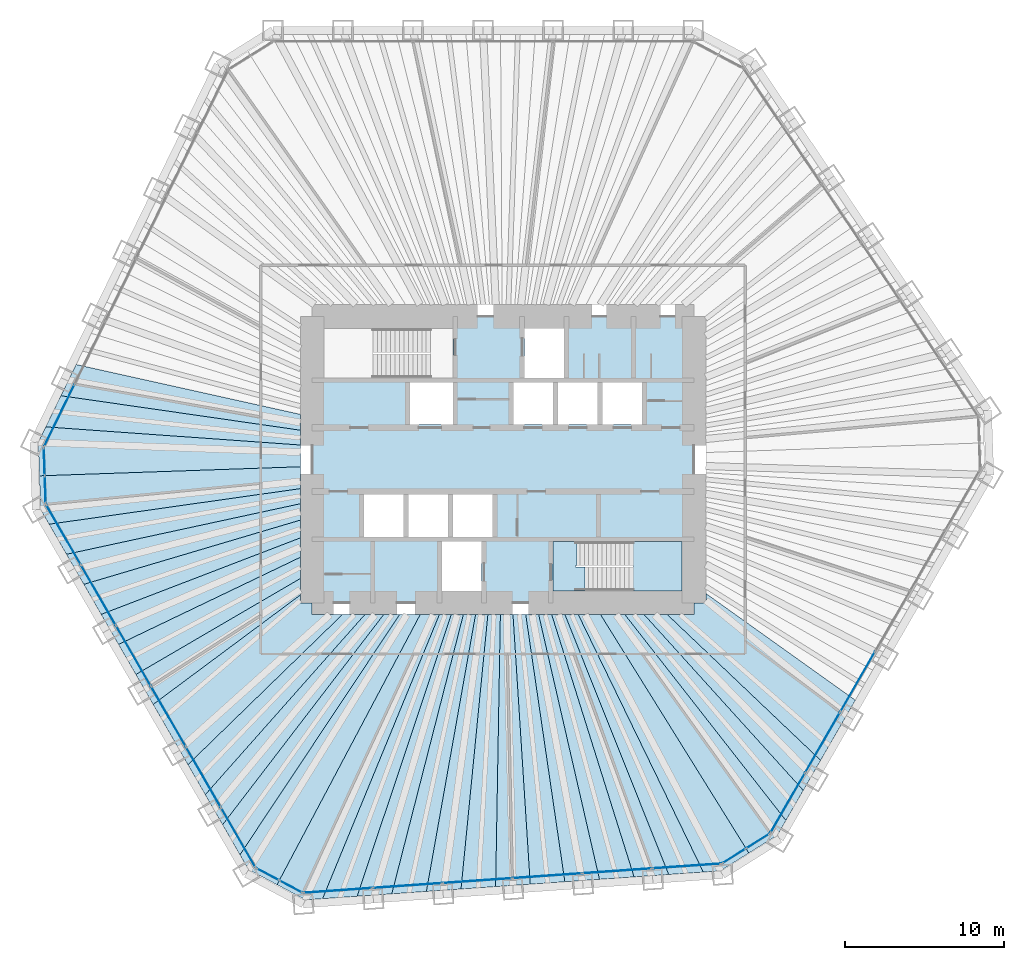
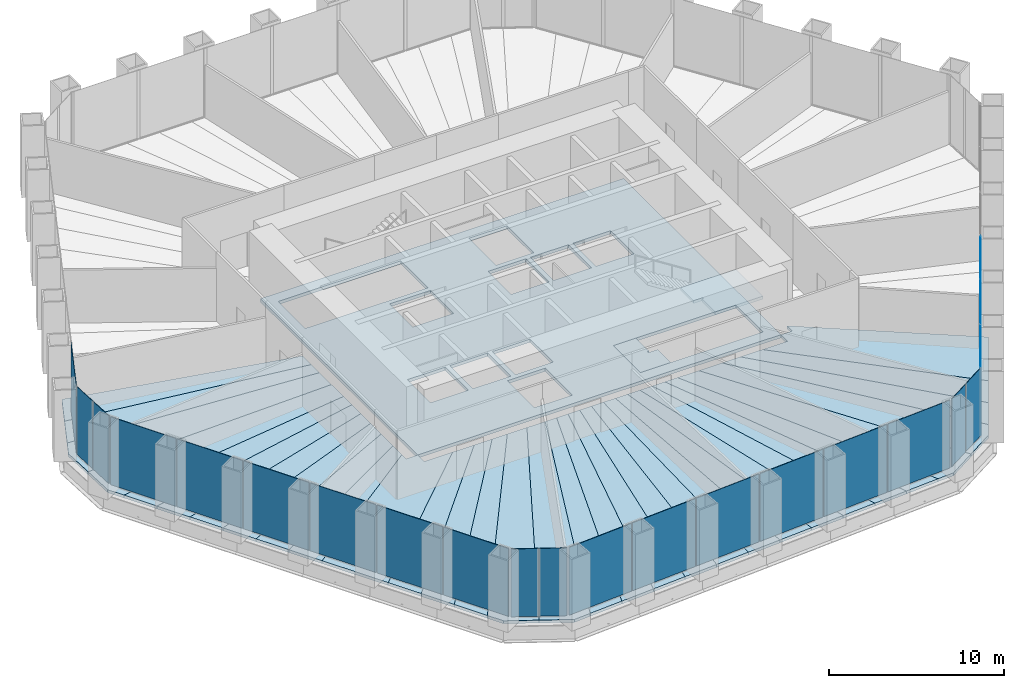
# One storey, part 8 of 13: 35 slabs, 22 plates, 8 elements without a shape of their own.
"""IFC4 building model written with IfcOpenShell, lengths in metres."""

import ifcopenshell
import ifcopenshell.guid

model = None  # the IFC model being written
_history = None  # IfcOwnerHistory: only IFC2X3 demands one
_inside = {}  # id of a spatial element -> (the spatial element, [elements in it])
_under = {}  # id of a project, library or spatial element -> (it, [spatial elements below it])
_declared = {}  # id of a project -> (the project, [libraries it declares])
_typed = {}  # id of a type object -> (the type object, [elements of that type])
_made_of = {}  # id of a material, layer set ... -> (it, [elements and type objects made of it])


def new_model(schema):
    """Start an empty IFC model of exactly this schema.

    Asked for "IFC4X3", IfcOpenShell would pick the latest addendum, in which some entities
    have other attributes; the version numbers below select the first issue.
    IFC2X3 requires an IfcOwnerHistory on every rooted entity: one is made here for all.
    """
    global model, _history
    if schema == "IFC4X3":
        model = ifcopenshell.file(schema_version=(4, 3, 0, 0))
    else:
        model = ifcopenshell.file(schema=schema)
    _inside.clear()
    _under.clear()
    _declared.clear()
    _typed.clear()
    _made_of.clear()
    _history = None
    if model.schema == "IFC2X3":
        org = make("IfcOrganization", Name="unknown")
        user = make(
            "IfcPersonAndOrganization",
            ThePerson=make("IfcPerson", FamilyName="unknown"),
            TheOrganization=org,
        )
        app = make(
            "IfcApplication",
            ApplicationDeveloper=org,
            Version="unknown",
            ApplicationFullName="unknown",
            ApplicationIdentifier="unknown",
        )
        _history = make(
            "IfcOwnerHistory",
            OwningUser=user,
            OwningApplication=app,
            ChangeAction="ADDED",
            CreationDate=0,
        )
    return model


def make(cls, **values):
    """One entity of the class cls with the attributes given. An attribute that is None is left unset."""
    return model.create_entity(
        cls, **{name: value for name, value in values.items() if value is not None}
    )


def rooted(cls, **values):
    """An entity with a GlobalId (a new one), such as an element, a storey or a relation."""
    return make(cls, GlobalId=ifcopenshell.guid.new(), OwnerHistory=_history, **values)


def si_unit(unit_type, name, prefix=None):
    """IfcSIUnit, for example si_unit("LENGTHUNIT", "METRE", prefix="MILLI")."""
    return make("IfcSIUnit", UnitType=unit_type, Prefix=prefix, Name=name)


def assignment(units):
    """IfcUnitAssignment: the units of a project."""
    return None if units is None else make("IfcUnitAssignment", Units=units)


def point(xyz):
    """IfcCartesianPoint."""
    return None if xyz is None else make("IfcCartesianPoint", Coordinates=xyz)


def direction(xyz):
    """IfcDirection."""
    return None if xyz is None else make("IfcDirection", DirectionRatios=xyz)


def frame(location, z_axis=None, x_axis=None):
    """IfcAxis2Placement3D, a coordinate frame: its origin and axes. An axis left out is left unset."""
    return make(
        "IfcAxis2Placement3D",
        Location=point(location),
        Axis=direction(z_axis),
        RefDirection=direction(x_axis),
    )


def frame_2d(location, x_axis=None):
    """IfcAxis2Placement2D, a coordinate frame in the plane: its origin and x axis."""
    return make(
        "IfcAxis2Placement2D", Location=point(location), RefDirection=direction(x_axis)
    )


def origin():
    """The frame at (0, 0, 0) with its axes left unset."""
    return frame((0.0, 0.0, 0.0))


def origin_2d():
    """The frame at (0, 0) in the plane with its x axis left unset."""
    return frame_2d((0.0, 0.0))


def place(relative_to, where):
    """IfcLocalPlacement: puts the frame where relative to a parent placement (None: the world)."""
    return make(
        "IfcLocalPlacement", PlacementRelTo=relative_to, RelativePlacement=where
    )


def context(
    kind, dimensions, precision=None, world=None, true_north=None, identifier=None
):
    """IfcGeometricRepresentationContext, for example the 3D "Model" context."""
    return make(
        "IfcGeometricRepresentationContext",
        ContextIdentifier=identifier,
        ContextType=kind,
        CoordinateSpaceDimension=dimensions,
        Precision=precision,
        WorldCoordinateSystem=world,
        TrueNorth=true_north,
    )


def subcontext(parent, identifier, kind, view, scale=None):
    """IfcGeometricRepresentationSubContext, for example "Body" below "Model"."""
    return make(
        "IfcGeometricRepresentationSubContext",
        ContextIdentifier=identifier,
        ContextType=kind,
        ParentContext=parent,
        TargetScale=scale,
        TargetView=view,
    )


def project(units=None, contexts=None):
    """IfcProject with its units and contexts."""
    return rooted(
        "IfcProject",
        Name="project",
        RepresentationContexts=contexts,
        UnitsInContext=assignment(units),
    )


def spatial(cls, under=None, at=None, **own):
    """A site, building, storey or space (cls), placed at a placement, below another one or the project."""
    s = rooted(cls, ObjectPlacement=at, **own)
    if under is not None:
        _under.setdefault(under.id(), (under, []))[1].append(s)
    return s


def polyline(points):
    """IfcPolyline through the points."""
    return make("IfcPolyline", Points=[point(p) for p in points])


def profile(cls, at=None, kind="AREA", **sizes):
    """A parametric profile (cls). Its sizes go by their IFC names, for example OverallWidth=200.0."""
    return make(cls, ProfileType=kind, Position=at, **sizes)


def rectangle(**sizes):
    """IfcRectangleProfileDef."""
    return profile("IfcRectangleProfileDef", **sizes)


def outline(outer, holes=None, kind="AREA"):
    """IfcArbitraryClosedProfileDef: a profile drawn as a closed curve; with holes, ...WithVoids."""
    if holes is None:
        return make("IfcArbitraryClosedProfileDef", ProfileType=kind, OuterCurve=outer)
    return make(
        "IfcArbitraryProfileDefWithVoids",
        ProfileType=kind,
        OuterCurve=outer,
        InnerCurves=holes,
    )


def extrude(swept, where, along, depth):
    """IfcExtrudedAreaSolid: the profile swept, set in the frame where, extruded along a direction by depth."""
    return make(
        "IfcExtrudedAreaSolid",
        SweptArea=swept,
        Position=where,
        ExtrudedDirection=direction(along),
        Depth=depth,
    )


def shape(context_of_items, identifier, shape_type, items):
    """IfcShapeRepresentation: the items that make up one representation, for example the "Body"."""
    return make(
        "IfcShapeRepresentation",
        ContextOfItems=context_of_items,
        RepresentationIdentifier=identifier,
        RepresentationType=shape_type,
        Items=items,
    )


def material(Name=None, Category=None):
    """IfcMaterial."""
    return make("IfcMaterial", Name=Name, Category=Category)


def layer(
    of_material, thickness, ventilated=None, Name=None, Category=None, Priority=None
):
    """IfcMaterialLayer: one layer of a wall or slab, of a material (None: an air gap)."""
    return make(
        "IfcMaterialLayer",
        Material=of_material,
        LayerThickness=thickness,
        IsVentilated=ventilated,
        Name=Name,
        Category=Category,
        Priority=Priority,
    )


def layer_set(layers, Name=None):
    """IfcMaterialLayerSet."""
    return make("IfcMaterialLayerSet", MaterialLayers=layers, LayerSetName=Name)


def made_of(thing, what):
    """Note that an element or type object is made of a material, layer set ...; save() writes the relation."""
    if what is not None:
        _made_of.setdefault(what.id(), (what, []))[1].append(thing)
    return thing


def type_object(cls, material=None, **own):
    """A type object (cls), such as IfcWallType, which elements share."""
    return made_of(rooted(cls, **own), material)


def element(
    cls,
    number,
    at=None,
    inside=None,
    cuts=None,
    type_object=None,
    material=None,
    context=None,
    identifier="Body",
    shape_type=None,
    held_by="IfcProductDefinitionShape",
    body=None,
    shapes=None,
    **own,
):
    """One element of the class cls, such as IfcWall. Its Tag is "e" and its number.

    at: its placement. inside: the storey or other place that contains it. cuts: it is an
    opening in that element (IfcRelVoidsElement). A single representation is given by context,
    identifier, shape_type and body (its items); several are given by shapes. held_by: the class
    of the entity that holds the representations. save() writes the other relations.
    """
    e = rooted(cls, Tag="e%d" % number, ObjectPlacement=at, **own)
    if body is not None:
        shapes = [shape(context, identifier, shape_type, body)]
    if shapes is not None:
        e.Representation = make(held_by, Representations=shapes)
    if inside is not None:
        _inside.setdefault(inside.id(), (inside, []))[1].append(e)
    if cuts is not None:
        rooted(
            "IfcRelVoidsElement", RelatingBuildingElement=cuts, RelatedOpeningElement=e
        )
    if type_object is not None:
        _typed.setdefault(type_object.id(), (type_object, []))[1].append(e)
    return made_of(e, material)


def aggregate(whole, parts):
    """IfcRelAggregates: a whole, such as a stair, and the parts it consists of."""
    return rooted("IfcRelAggregates", RelatingObject=whole, RelatedObjects=parts)


def save(model, path):
    """Write the relations noted so far, then the file.

    IfcRelAggregates (storeys below a building ...), IfcRelContainedInSpatialStructure (elements
    in a storey), IfcRelDefinesByType, IfcRelAssociatesMaterial and IfcRelDeclares: one each for
    every whole, place, type object, material and project.
    """
    for whole, parts in _under.values():
        aggregate(whole, parts)
    for where, things in _inside.values():
        rooted(
            "IfcRelContainedInSpatialStructure",
            RelatedElements=things,
            RelatingStructure=where,
        )
    for kind, things in _typed.values():
        rooted("IfcRelDefinesByType", RelatedObjects=things, RelatingType=kind)
    for what, things in _made_of.values():
        rooted("IfcRelAssociatesMaterial", RelatedObjects=things, RelatingMaterial=what)
    for by, libraries in _declared.values():
        rooted("IfcRelDeclares", RelatingContext=by, RelatedDefinitions=libraries)
    model.write(path)


model = new_model("IFC4")

# Units and contexts
model_context = context("Model", 3, precision=1e-05, world=origin(), true_north=direction((0.0, 1.0)))
body_context = subcontext(model_context, "Body", "Model", "MODEL_VIEW")
ifc_project = project(units=[si_unit("LENGTHUNIT", "METRE"), si_unit("AREAUNIT", "SQUARE_METRE"), si_unit("VOLUMEUNIT", "CUBIC_METRE"), si_unit("PLANEANGLEUNIT", "RADIAN"), si_unit("MASSUNIT", "GRAM", prefix="KILO")], contexts=[model_context])

# Site, building, storey
site_placement = place(None, origin())
site = spatial("IfcSite", under=ifc_project, at=site_placement, CompositionType="ELEMENT")
building_placement = place(site_placement, origin())
building = spatial("IfcBuilding", under=site, at=building_placement, Name="Qingtian Harvest Tower", CompositionType="ELEMENT")
storey_placement = place(building_placement, frame((0.0, 0.0, 67.0)))
storey = spatial("IfcBuildingStorey", under=building, at=storey_placement, Name="L13", CompositionType="ELEMENT", Elevation=67.0)

# Slabs
ifc_material_1 = material(Name="Concrete fc' 35 MPa", Category="concrete")
ifc_layer_1 = layer(ifc_material_1, 0.199951171875)
ifc_layer_set_1 = layer_set([ifc_layer_1], Name="Composite floor slab FS20 200")
slab_type_1 = type_object("IfcSlabType", Name="Composite floor slab FS20 200", PredefinedType="FLOOR", material=ifc_layer_set_1)
slab_1_placement = place(storey_placement, frame((0.0, 0.0, -0.199951171875)))
element("IfcSlab", 1, at=slab_1_placement, inside=storey, type_object=slab_type_1, Name="Floor slab L13 panel D01", PredefinedType="FLOOR", context=body_context, shape_type="SweptSolid", body=[
    extrude(outline(polyline([(-29.157470703125, -1.018310546875), (-12.75, -0.447509765625), (-12.75, -1.822998046875), (-28.548583984375, -4.062255859375), (-29.08349609375, -3.135986328125), (-29.157470703125, -1.018310546875)])), origin(), (0.0, 0.0, 1.0), 0.199951171875),
])
slab_2_placement = place(storey_placement, frame((0.0, 0.0, -0.199951171875)))
element("IfcSlab", 2, at=slab_2_placement, inside=storey, type_object=slab_type_1, Name="Floor slab L13 panel D02", PredefinedType="FLOOR", context=body_context, shape_type="SweptSolid", body=[
    extrude(outline(polyline([(-12.75, -2.773681640625), (-27.45751953125, -5.9521484375), (-28.548583984375, -4.062255859375), (-12.75, -1.822998046875), (-12.75, -2.773681640625)])), origin(), (0.0, 0.0, 1.0), 0.199951171875),
])
slab_3_placement = place(storey_placement, frame((0.0, 0.0, -0.199951171875)))
element("IfcSlab", 3, at=slab_3_placement, inside=storey, type_object=slab_type_1, Name="Floor slab L13 panel D03", PredefinedType="FLOOR", context=body_context, shape_type="SweptSolid", body=[
    extrude(outline(polyline([(-12.75, -3.80322265625), (-26.366455078125, -7.842041015625), (-27.45751953125, -5.9521484375), (-12.75, -2.773681640625), (-12.75, -3.80322265625)])), origin(), (0.0, 0.0, 1.0), 0.199951171875),
])
slab_4_placement = place(storey_placement, frame((0.0, 0.0, -0.199951171875)))
element("IfcSlab", 4, at=slab_4_placement, inside=storey, type_object=slab_type_1, Name="Floor slab L13 panel D04", PredefinedType="FLOOR", context=body_context, shape_type="SweptSolid", body=[
    extrude(outline(polyline([(-12.75, -4.921875), (-25.275146484375, -9.732177734375), (-26.366455078125, -7.842041015625), (-12.75, -3.80322265625), (-12.75, -4.921875)])), origin(), (0.0, 0.0, 1.0), 0.199951171875),
])
slab_5_placement = place(storey_placement, frame((0.0, 0.0, -0.199951171875)))
element("IfcSlab", 5, at=slab_5_placement, inside=storey, type_object=slab_type_1, Name="Floor slab L13 panel D05", PredefinedType="FLOOR", context=body_context, shape_type="SweptSolid", body=[
    extrude(outline(polyline([(-12.75, -6.141357421875), (-24.18408203125, -11.6220703125), (-25.275146484375, -9.732177734375), (-12.75, -4.921875), (-12.75, -6.141357421875)])), origin(), (0.0, 0.0, 1.0), 0.199951171875),
])
slab_6_placement = place(storey_placement, frame((0.0, 0.0, -0.199951171875)))
element("IfcSlab", 6, at=slab_6_placement, inside=storey, type_object=slab_type_1, Name="Floor slab L13 panel D06", PredefinedType="FLOOR", context=body_context, shape_type="SweptSolid", body=[
    extrude(outline(polyline([(-12.75, -7.4765625), (-23.0927734375, -13.511962890625), (-24.18408203125, -11.6220703125), (-12.75, -6.141357421875), (-12.75, -7.4765625)])), origin(), (0.0, 0.0, 1.0), 0.199951171875),
])
slab_7_placement = place(storey_placement, frame((0.0, 0.0, -0.199951171875)))
element("IfcSlab", 7, at=slab_7_placement, inside=storey, type_object=slab_type_1, Name="Floor slab L13 panel D07", PredefinedType="FLOOR", context=body_context, shape_type="SweptSolid", body=[
    extrude(outline(polyline([(-12.75, -8.512451171875), (-22.00537109375, -15.3955078125), (-23.0927734375, -13.511962890625), (-12.75, -7.4765625), (-12.75, -8.512451171875)])), origin(), (0.0, 0.0, 1.0), 0.199951171875),
])
slab_8_placement = place(storey_placement, frame((0.0, 0.0, -0.199951171875)))
element("IfcSlab", 8, at=slab_8_placement, inside=storey, type_object=slab_type_1, Name="Floor slab L13 panel D09", PredefinedType="FLOOR", context=body_context, shape_type="SweptSolid", body=[
    extrude(outline(polyline([(-19.81982421875, -19.18115234375), (-22.00537109375, -15.3955078125), (-12.75, -8.512451171875), (-12.75, -9.0), (-12.0, -9.0), (-12.0, -9.75), (-10.1123046875, -9.75), (-19.81982421875, -19.18115234375)])), origin(), (0.0, 0.0, 1.0), 0.199951171875),
])
slab_9_placement = place(storey_placement, frame((0.0, 0.0, -0.199951171875)))
element("IfcSlab", 9, at=slab_9_placement, inside=storey, type_object=slab_type_1, Name="Floor slab L13 panel D10", PredefinedType="FLOOR", context=body_context, shape_type="SweptSolid", body=[
    extrude(outline(polyline([(-8.694580078125, -9.75), (-18.728515625, -21.0712890625), (-19.81982421875, -19.18115234375), (-10.1123046875, -9.75), (-8.694580078125, -9.75)])), origin(), (0.0, 0.0, 1.0), 0.199951171875),
])
slab_10_placement = place(storey_placement, frame((0.0, 0.0, -0.199951171875)))
element("IfcSlab", 10, at=slab_10_placement, inside=storey, type_object=slab_type_1, Name="Floor slab L13 panel D11", PredefinedType="FLOOR", context=body_context, shape_type="SweptSolid", body=[
    extrude(outline(polyline([(-7.511474609375, -9.75), (-17.63720703125, -22.961181640625), (-18.728515625, -21.0712890625), (-8.694580078125, -9.75), (-7.511474609375, -9.75)])), origin(), (0.0, 0.0, 1.0), 0.199951171875),
])
slab_11_placement = place(storey_placement, frame((0.0, 0.0, -0.199951171875)))
element("IfcSlab", 11, at=slab_11_placement, inside=storey, type_object=slab_type_1, Name="Floor slab L13 panel D12", PredefinedType="FLOOR", context=body_context, shape_type="SweptSolid", body=[
    extrude(outline(polyline([(-6.509033203125, -9.75), (-16.546142578125, -24.851318359375), (-17.63720703125, -22.961181640625), (-7.511474609375, -9.75), (-6.509033203125, -9.75)])), origin(), (0.0, 0.0, 1.0), 0.199951171875),
])
slab_12_placement = place(storey_placement, frame((0.0, 0.0, -0.199951171875)))
element("IfcSlab", 12, at=slab_12_placement, inside=storey, type_object=slab_type_1, Name="Floor slab L13 panel D13", PredefinedType="FLOOR", context=body_context, shape_type="SweptSolid", body=[
    extrude(outline(polyline([(-6.509033203125, -9.75), (-5.213623046875, -9.75), (-14.214599609375, -26.73291015625), (-16.01123046875, -25.777587890625), (-16.546142578125, -24.851318359375), (-6.509033203125, -9.75)])), origin(), (0.0, 0.0, 1.0), 0.199951171875),
])
slab_13_placement = place(storey_placement, frame((0.0, 0.0, -0.199951171875)))
element("IfcSlab", 13, at=slab_13_placement, inside=storey, type_object=slab_type_1, Name="Floor slab L13 panel D14", PredefinedType="FLOOR", context=body_context, shape_type="SweptSolid", body=[
    extrude(outline(polyline([(-5.213623046875, -9.75), (-4.006591796875, -9.75), (-11.350341796875, -27.614013671875), (-12.417236328125, -27.688720703125), (-14.214599609375, -26.73291015625), (-5.213623046875, -9.75)])), origin(), (0.0, 0.0, 1.0), 0.199951171875),
])
slab_14_placement = place(storey_placement, frame((0.0, 0.0, -0.199951171875)))
element("IfcSlab", 14, at=slab_14_placement, inside=storey, type_object=slab_type_1, Name="Floor slab L13 panel D15", PredefinedType="FLOOR", context=body_context, shape_type="SweptSolid", body=[
    extrude(outline(polyline([(-3.255859375, -9.75), (-9.17333984375, -27.4619140625), (-11.350341796875, -27.614013671875), (-4.006591796875, -9.75), (-3.255859375, -9.75)])), origin(), (0.0, 0.0, 1.0), 0.199951171875),
])
slab_15_placement = place(storey_placement, frame((0.0, 0.0, -0.199951171875)))
element("IfcSlab", 15, at=slab_15_placement, inside=storey, type_object=slab_type_1, Name="Floor slab L13 panel D16", PredefinedType="FLOOR", context=body_context, shape_type="SweptSolid", body=[
    extrude(outline(polyline([(-2.496826171875, -9.75), (-6.996337890625, -27.3095703125), (-9.17333984375, -27.4619140625), (-3.255859375, -9.75), (-2.496826171875, -9.75)])), origin(), (0.0, 0.0, 1.0), 0.199951171875),
])
slab_16_placement = place(storey_placement, frame((0.0, 0.0, -0.199951171875)))
element("IfcSlab", 16, at=slab_16_placement, inside=storey, type_object=slab_type_1, Name="Floor slab L13 panel D17", PredefinedType="FLOOR", context=body_context, shape_type="SweptSolid", body=[
    extrude(outline(polyline([(-1.729248046875, -9.75), (-4.8193359375, -27.1572265625), (-6.996337890625, -27.3095703125), (-2.496826171875, -9.75), (-1.729248046875, -9.75)])), origin(), (0.0, 0.0, 1.0), 0.199951171875),
])
slab_17_placement = place(storey_placement, frame((0.0, 0.0, -0.199951171875)))
element("IfcSlab", 17, at=slab_17_placement, inside=storey, type_object=slab_type_1, Name="Floor slab L13 panel D18", PredefinedType="FLOOR", context=body_context, shape_type="SweptSolid", body=[
    extrude(outline(polyline([(-0.952880859375, -9.75), (-2.642333984375, -27.005126953125), (-4.8193359375, -27.1572265625), (-1.729248046875, -9.75), (-0.952880859375, -9.75)])), origin(), (0.0, 0.0, 1.0), 0.199951171875),
])
slab_18_placement = place(storey_placement, frame((0.0, 0.0, -0.199951171875)))
element("IfcSlab", 18, at=slab_18_placement, inside=storey, type_object=slab_type_1, Name="Floor slab L13 panel D19", PredefinedType="FLOOR", context=body_context, shape_type="SweptSolid", body=[
    extrude(outline(polyline([(-0.16796875, -9.75), (-0.46533203125, -26.852783203125), (-2.642333984375, -27.005126953125), (-0.952880859375, -9.75), (-0.16796875, -9.75)])), origin(), (0.0, 0.0, 1.0), 0.199951171875),
])
slab_19_placement = place(storey_placement, frame((0.0, 0.0, -0.199951171875)))
element("IfcSlab", 19, at=slab_19_placement, inside=storey, type_object=slab_type_1, Name="Floor slab L13 panel D20", PredefinedType="FLOOR", context=body_context, shape_type="SweptSolid", body=[
    extrude(outline(polyline([(0.626220703125, -9.75), (1.711669921875, -26.70068359375), (-0.46533203125, -26.852783203125), (-0.16796875, -9.75), (0.626220703125, -9.75)])), origin(), (0.0, 0.0, 1.0), 0.199951171875),
])
slab_20_placement = place(storey_placement, frame((0.0, 0.0, -0.199951171875)))
element("IfcSlab", 20, at=slab_20_placement, inside=storey, type_object=slab_type_1, Name="Floor slab L13 panel D21", PredefinedType="FLOOR", context=body_context, shape_type="SweptSolid", body=[
    extrude(outline(polyline([(1.42919921875, -9.75), (3.888671875, -26.54833984375), (1.711669921875, -26.70068359375), (0.626220703125, -9.75), (1.42919921875, -9.75)])), origin(), (0.0, 0.0, 1.0), 0.199951171875),
])
slab_21_placement = place(storey_placement, frame((0.0, 0.0, -0.199951171875)))
element("IfcSlab", 21, at=slab_21_placement, inside=storey, type_object=slab_type_1, Name="Floor slab L13 panel D22", PredefinedType="FLOOR", context=body_context, shape_type="SweptSolid", body=[
    extrude(outline(polyline([(2.24169921875, -9.75), (6.065673828125, -26.396240234375), (3.888671875, -26.54833984375), (1.42919921875, -9.75), (2.24169921875, -9.75)])), origin(), (0.0, 0.0, 1.0), 0.199951171875),
])
slab_22_placement = place(storey_placement, frame((0.0, 0.0, -0.199951171875)))
element("IfcSlab", 22, at=slab_22_placement, inside=storey, type_object=slab_type_1, Name="Floor slab L13 panel D23", PredefinedType="FLOOR", context=body_context, shape_type="SweptSolid", body=[
    extrude(outline(polyline([(3.0634765625, -9.75), (8.24267578125, -26.243896484375), (6.065673828125, -26.396240234375), (2.24169921875, -9.75), (3.0634765625, -9.75)])), origin(), (0.0, 0.0, 1.0), 0.199951171875),
])
slab_23_placement = place(storey_placement, frame((0.0, 0.0, -0.199951171875)))
element("IfcSlab", 23, at=slab_23_placement, inside=storey, type_object=slab_type_1, Name="Floor slab L13 panel D24", PredefinedType="FLOOR", context=body_context, shape_type="SweptSolid", body=[
    extrude(outline(polyline([(3.894775390625, -9.75), (10.419677734375, -26.091796875), (8.24267578125, -26.243896484375), (3.0634765625, -9.75), (3.894775390625, -9.75)])), origin(), (0.0, 0.0, 1.0), 0.199951171875),
])
slab_24_placement = place(storey_placement, frame((0.0, 0.0, -0.199951171875)))
element("IfcSlab", 24, at=slab_24_placement, inside=storey, type_object=slab_type_1, Name="Floor slab L13 panel D25", PredefinedType="FLOOR", context=body_context, shape_type="SweptSolid", body=[
    extrude(outline(polyline([(4.736083984375, -9.75), (12.5966796875, -25.939453125), (10.419677734375, -26.091796875), (3.894775390625, -9.75), (4.736083984375, -9.75)])), origin(), (0.0, 0.0, 1.0), 0.199951171875),
])
slab_25_placement = place(storey_placement, frame((0.0, 0.0, -0.199951171875)))
element("IfcSlab", 25, at=slab_25_placement, inside=storey, type_object=slab_type_1, Name="Floor slab L13 panel D26", PredefinedType="FLOOR", context=body_context, shape_type="SweptSolid", body=[
    extrude(outline(polyline([(4.736083984375, -9.75), (6.136474609375, -9.75), (15.4609375, -24.74169921875), (13.663330078125, -25.864990234375), (12.5966796875, -25.939453125), (4.736083984375, -9.75)])), origin(), (0.0, 0.0, 1.0), 0.199951171875),
])
slab_26_placement = place(storey_placement, frame((0.0, 0.0, -0.199951171875)))
element("IfcSlab", 26, at=slab_26_placement, inside=storey, type_object=slab_type_1, Name="Floor slab L13 panel D27", PredefinedType="FLOOR", context=body_context, shape_type="SweptSolid", body=[
    extrude(outline(polyline([(6.136474609375, -9.75), (7.66748046875, -9.75), (17.79248046875, -22.692626953125), (17.257568359375, -23.618896484375), (15.4609375, -24.74169921875), (6.136474609375, -9.75)])), origin(), (0.0, 0.0, 1.0), 0.199951171875),
])
slab_27_placement = place(storey_placement, frame((0.0, 0.0, -0.199951171875)))
element("IfcSlab", 27, at=slab_27_placement, inside=storey, type_object=slab_type_1, Name="Floor slab L13 panel D28", PredefinedType="FLOOR", context=body_context, shape_type="SweptSolid", body=[
    extrude(outline(polyline([(8.88037109375, -9.75), (18.883544921875, -20.802734375), (17.79248046875, -22.692626953125), (7.66748046875, -9.75), (8.88037109375, -9.75)])), origin(), (0.0, 0.0, 1.0), 0.199951171875),
])
slab_28_placement = place(storey_placement, frame((0.0, 0.0, -0.199951171875)))
element("IfcSlab", 28, at=slab_28_placement, inside=storey, type_object=slab_type_1, Name="Floor slab L13 panel D29", PredefinedType="FLOOR", context=body_context, shape_type="SweptSolid", body=[
    extrude(outline(polyline([(10.337158203125, -9.75), (19.974853515625, -18.91259765625), (18.883544921875, -20.802734375), (8.88037109375, -9.75), (10.337158203125, -9.75)])), origin(), (0.0, 0.0, 1.0), 0.199951171875),
])
slab_29_placement = place(storey_placement, frame((0.0, 0.0, -0.199951171875)))
element("IfcSlab", 29, at=slab_29_placement, inside=storey, type_object=slab_type_1, Name="Floor slab L13 panel D31", PredefinedType="FLOOR", context=body_context, shape_type="SweptSolid", body=[
    extrude(outline(polyline([(12.75, -8.4091796875), (22.159423828125, -15.128662109375), (19.974853515625, -18.91259765625), (10.337158203125, -9.75), (12.0, -9.75), (12.0, -9.0), (12.75, -9.0), (12.75, -8.4091796875)])), origin(), (0.0, 0.0, 1.0), 0.199951171875),
])
slab_30_placement = place(storey_placement, frame((0.0, 0.0, -0.199951171875)))
element("IfcSlab", 30, at=slab_30_placement, inside=storey, type_object=slab_type_1, Name="Floor slab L13 panel D76", PredefinedType="FLOOR", context=body_context, shape_type="SweptSolid", body=[
    extrude(outline(polyline([(-12.75, 1.8525390625), (-27.805908203125, 4.022216796875), (-26.84912109375, 5.98388671875), (-12.75, 2.8505859375), (-12.75, 1.8525390625)])), origin(), (0.0, 0.0, 1.0), 0.199951171875),
])
slab_31_placement = place(storey_placement, frame((0.0, 0.0, -0.199951171875)))
element("IfcSlab", 31, at=slab_31_placement, inside=storey, type_object=slab_type_1, Name="Floor slab L13 panel D77", PredefinedType="FLOOR", context=body_context, shape_type="SweptSolid", body=[
    extrude(outline(polyline([(-12.75, 0.9208984375), (-28.762451171875, 2.060791015625), (-27.805908203125, 4.022216796875), (-12.75, 1.8525390625), (-12.75, 0.9208984375)])), origin(), (0.0, 0.0, 1.0), 0.199951171875),
])
slab_32_placement = place(storey_placement, frame((0.0, 0.0, -0.199951171875)))
element("IfcSlab", 32, at=slab_32_placement, inside=storey, type_object=slab_type_1, Name="Floor slab L13 panel D78", PredefinedType="FLOOR", context=body_context, shape_type="SweptSolid", body=[
    extrude(outline(polyline([(-12.75, 0.9208984375), (-12.75, -0.447509765625), (-29.157470703125, -1.018310546875), (-29.2314453125, 1.099609375), (-28.762451171875, 2.060791015625), (-12.75, 0.9208984375)])), origin(), (0.0, 0.0, 1.0), 0.199951171875),
])
ifc_material_2 = material(Name="Concrete fc' 35 MPa", Category="concrete")
ifc_layer_2 = layer(ifc_material_2, 0.219970703125)
ifc_layer_set_2 = layer_set([ifc_layer_2], Name="Core floor slab CS22 220")
slab_type_2 = type_object("IfcSlabType", Name="Core floor slab CS22 220", PredefinedType="FLOOR", material=ifc_layer_set_2)
slab_33_placement = place(storey_placement, frame((0.0, 0.0, -0.219970703125)))
element("IfcSlab", 33, at=slab_33_placement, inside=storey, type_object=slab_type_2, Name="Core floor slab L13", PredefinedType="FLOOR", context=body_context, shape_type="SweptSolid", body=[
    extrude(outline(polyline([(-12.0, -9.0), (12.0, -9.0), (12.0, 9.0), (-12.0, 9.0), (-12.0, -9.0)]), holes=[polyline([(-11.25, 5.14990234375), (-3.14990234375, 5.14990234375), (-3.14990234375, 8.25), (-11.25, 8.25), (-11.25, 5.14990234375)]), polyline([(3.14990234375, -8.25), (11.25, -8.25), (11.25, -5.14990234375), (3.14990234375, -5.14990234375), (3.14990234375, -8.25)]), polyline([(1.35009765625, 5.14990234375), (3.85009765625, 5.14990234375), (3.85009765625, 8.25), (1.35009765625, 8.25), (1.35009765625, 5.14990234375)]), polyline([(-3.85009765625, -8.25), (-1.35009765625, -8.25), (-1.35009765625, -5.14990234375), (-3.85009765625, -5.14990234375), (-3.85009765625, -8.25)]), polyline([(-5.85009765625, 2.199951171875), (-3.14990234375, 2.199951171875), (-3.14990234375, 4.85009765625), (-5.85009765625, 4.85009765625), (-5.85009765625, 2.199951171875)]), polyline([(0.64990234375, 2.199951171875), (3.14990234375, 2.199951171875), (3.14990234375, 4.85009765625), (0.64990234375, 4.85009765625), (0.64990234375, 2.199951171875)]), polyline([(3.449951171875, 2.199951171875), (5.949951171875, 2.199951171875), (5.949951171875, 4.85009765625), (3.449951171875, 4.85009765625), (3.449951171875, 2.199951171875)]), polyline([(6.25, 2.199951171875), (8.75, 2.199951171875), (8.75, 4.85009765625), (6.25, 4.85009765625), (6.25, 2.199951171875)]), polyline([(-8.75, -4.85009765625), (-6.25, -4.85009765625), (-6.25, -2.199951171875), (-8.75, -2.199951171875), (-8.75, -4.85009765625)]), polyline([(-5.949951171875, -4.85009765625), (-3.449951171875, -4.85009765625), (-3.449951171875, -2.199951171875), (-5.949951171875, -2.199951171875), (-5.949951171875, -4.85009765625)]), polyline([(-3.14990234375, -4.85009765625), (-0.64990234375, -4.85009765625), (-0.64990234375, -2.199951171875), (-3.14990234375, -2.199951171875), (-3.14990234375, -4.85009765625)])]), origin(), (0.0, 0.0, 1.0), 0.219970703125),
])

# Curtain wall, plates
ifc_material_3 = material(Name="Bronze-anodised aluminium curtain wall", Category="aluminium")
curtain_wall_type = type_object("IfcCurtainWallType", Name="Curtain wall CW2 farm reception", PredefinedType="USERDEFINED", material=ifc_material_3)
curtain_wall_1_placement = place(storey_placement, origin())
curtain_wall_1 = element("IfcCurtainWall", 34, at=curtain_wall_1_placement, inside=storey, type_object=curtain_wall_type, Name="Curtain wall CW2 L13 SE0-5", ObjectType="RECESSED CURTAIN WALL", PredefinedType="USERDEFINED")
ifc_material_4 = material(Name="Bronze-tinted laminated insulating glass", Category="glass")
ifc_layer_3 = layer(ifc_material_4, 0.030029296875)
ifc_layer_set_3 = layer_set([ifc_layer_3], Name="Glazed panel CWP tinted IGU")
plate_type = type_object("IfcPlateType", Name="Glazed panel CWP tinted IGU", PredefinedType="CURTAIN_PANEL", material=ifc_layer_set_3)
plate_1_placement = place(storey_placement, frame((22.30419921875, -13.968017578125, 0.06494140625), z_axis=(0.0, 0.0, 1.0), x_axis=(-0.5, -0.866025403784, 0.0)))
plate_1 = element("IfcPlate", 35, at=plate_1_placement, type_object=plate_type, Name="CW2 panel 4.1", PredefinedType="CURTAIN_PANEL", context=body_context, shape_type="SweptSolid", body=[
    extrude(rectangle(XDim=4.339599609375, YDim=0.030029296875, at=origin_2d()), origin(), (0.0, 0.0, 1.0), 4.735107421875),
])
plate_2_placement = place(storey_placement, frame((20.101806640625, -17.782470703125, 0.06494140625), z_axis=(0.0, 0.0, 1.0), x_axis=(-0.5, -0.866025403784, 0.0)))
plate_2 = element("IfcPlate", 36, at=plate_2_placement, type_object=plate_type, Name="CW2 panel 5.1", PredefinedType="CURTAIN_PANEL", context=body_context, shape_type="SweptSolid", body=[
    extrude(rectangle(XDim=4.339599609375, YDim=0.030029296875, at=origin_2d()), origin(), (0.0, 0.0, 1.0), 4.735107421875),
])
plate_3_placement = place(storey_placement, frame((17.90771484375, -21.5830078125, 0.06494140625), z_axis=(0.0, 0.0, 1.0), x_axis=(-0.5, -0.866025403784, 0.0)))
plate_3 = element("IfcPlate", 37, at=plate_3_placement, type_object=plate_type, Name="CW2 panel 6.1", PredefinedType="CURTAIN_PANEL", context=body_context, shape_type="SweptSolid", body=[
    extrude(rectangle(XDim=4.30712890625, YDim=0.030029296875, at=origin_2d()), origin(), (0.0, 0.0, 1.0), 4.735107421875),
])
aggregate(curtain_wall_1, [plate_1, plate_2, plate_3])

curtain_wall_2_placement = place(storey_placement, origin())
curtain_wall_2 = element("IfcCurtainWall", 38, at=curtain_wall_2_placement, inside=storey, type_object=curtain_wall_type, Name="Curtain wall CW2 L13 SEC", ObjectType="RECESSED CURTAIN WALL", PredefinedType="USERDEFINED")
plate_4_placement = place(storey_placement, frame((16.025390625, -23.9873046875, 0.06494140625), z_axis=(0.0, 0.0, 1.0), x_axis=(-0.848048096156, -0.529919264233, 0.0)))
plate_4 = element("IfcPlate", 39, at=plate_4_placement, type_object=plate_type, Name="CW2 panel 1.1", PredefinedType="CURTAIN_PANEL", context=body_context, shape_type="SweptSolid", body=[
    extrude(rectangle(XDim=1.69287109375, YDim=0.030029296875, at=origin_2d()), origin(), (0.0, 0.0, 1.0), 4.735107421875),
])
plate_5_placement = place(storey_placement, frame((14.53466796875, -24.9189453125, 0.06494140625), z_axis=(0.0, 0.0, 1.0), x_axis=(-0.848048096156, -0.529919264233, 0.0)))
plate_5 = element("IfcPlate", 40, at=plate_5_placement, type_object=plate_type, Name="CW2 panel 2.1", PredefinedType="CURTAIN_PANEL", context=body_context, shape_type="SweptSolid", body=[
    extrude(rectangle(XDim=1.69287109375, YDim=0.030029296875, at=origin_2d()), origin(), (0.0, 0.0, 1.0), 4.735107421875),
])
aggregate(curtain_wall_2, [plate_4, plate_5])

curtain_wall_3_placement = place(storey_placement, origin())
curtain_wall_3 = element("IfcCurtainWall", 41, at=curtain_wall_3_placement, inside=storey, type_object=curtain_wall_type, Name="Curtain wall CW2 L13 S0-5", ObjectType="RECESSED CURTAIN WALL", PredefinedType="USERDEFINED")
plate_6_placement = place(storey_placement, frame((11.548583984375, -25.556640625, 0.06494140625), z_axis=(0.0, 0.0, 1.0), x_axis=(-0.99756405026, -0.069756473744, 0.0)))
plate_6 = element("IfcPlate", 42, at=plate_6_placement, type_object=plate_type, Name="CW2 panel 1.1", PredefinedType="CURTAIN_PANEL", context=body_context, shape_type="SweptSolid", body=[
    extrude(rectangle(XDim=4.30712890625, YDim=0.030029296875, at=origin_2d()), origin(), (0.0, 0.0, 1.0), 4.735107421875),
])
plate_7_placement = place(storey_placement, frame((7.1708984375, -25.86279296875, 0.06494140625), z_axis=(0.0, 0.0, 1.0), x_axis=(-0.99756405026, -0.069756473744, 0.0)))
plate_7 = element("IfcPlate", 43, at=plate_7_placement, type_object=plate_type, Name="CW2 panel 2.1", PredefinedType="CURTAIN_PANEL", context=body_context, shape_type="SweptSolid", body=[
    extrude(rectangle(XDim=4.339599609375, YDim=0.030029296875, at=origin_2d()), origin(), (0.0, 0.0, 1.0), 4.735107421875),
])
plate_8_placement = place(storey_placement, frame((2.77685546875, -26.169921875, 0.06494140625), z_axis=(0.0, 0.0, 1.0), x_axis=(-0.99756405026, -0.069756473744, 0.0)))
plate_8 = element("IfcPlate", 44, at=plate_8_placement, type_object=plate_type, Name="CW2 panel 3.1", PredefinedType="CURTAIN_PANEL", context=body_context, shape_type="SweptSolid", body=[
    extrude(rectangle(XDim=4.339599609375, YDim=0.030029296875, at=origin_2d()), origin(), (0.0, 0.0, 1.0), 4.735107421875),
])
plate_9_placement = place(storey_placement, frame((-1.616943359375, -26.477294921875, 0.06494140625), z_axis=(0.0, 0.0, 1.0), x_axis=(-0.99756405026, -0.069756473744, 0.0)))
plate_9 = element("IfcPlate", 45, at=plate_9_placement, type_object=plate_type, Name="CW2 panel 4.1", PredefinedType="CURTAIN_PANEL", context=body_context, shape_type="SweptSolid", body=[
    extrude(rectangle(XDim=4.339599609375, YDim=0.030029296875, at=origin_2d()), origin(), (0.0, 0.0, 1.0), 4.735107421875),
])
plate_10_placement = place(storey_placement, frame((-6.0107421875, -26.784423828125, 0.06494140625), z_axis=(0.0, 0.0, 1.0), x_axis=(-0.99756405026, -0.069756473744, 0.0)))
plate_10 = element("IfcPlate", 46, at=plate_10_placement, type_object=plate_type, Name="CW2 panel 5.1", PredefinedType="CURTAIN_PANEL", context=body_context, shape_type="SweptSolid", body=[
    extrude(rectangle(XDim=4.339599609375, YDim=0.030029296875, at=origin_2d()), origin(), (0.0, 0.0, 1.0), 4.735107421875),
])
plate_11_placement = place(storey_placement, frame((-10.388427734375, -27.090576171875, 0.06494140625), z_axis=(0.0, 0.0, 1.0), x_axis=(-0.99756405026, -0.069756473744, 0.0)))
plate_11 = element("IfcPlate", 47, at=plate_11_placement, type_object=plate_type, Name="CW2 panel 6.1", PredefinedType="CURTAIN_PANEL", context=body_context, shape_type="SweptSolid", body=[
    extrude(rectangle(XDim=4.30712890625, YDim=0.030029296875, at=origin_2d()), origin(), (0.0, 0.0, 1.0), 4.735107421875),
])
aggregate(curtain_wall_3, [plate_6, plate_7, plate_8, plate_9, plate_10, plate_11])

curtain_wall_4_placement = place(storey_placement, origin())
curtain_wall_4 = element("IfcCurtainWall", 48, at=curtain_wall_4_placement, inside=storey, type_object=curtain_wall_type, Name="Curtain wall CW2 L13 SC", ObjectType="RECESSED CURTAIN WALL", PredefinedType="USERDEFINED")
plate_12_placement = place(storey_placement, frame((-13.350830078125, -26.84716796875, 0.06494140625), z_axis=(0.0, 0.0, 1.0), x_axis=(-0.882947592859, 0.469471562786, 0.0)))
plate_12 = element("IfcPlate", 49, at=plate_12_placement, type_object=plate_type, Name="CW2 panel 1.1", PredefinedType="CURTAIN_PANEL", context=body_context, shape_type="SweptSolid", body=[
    extrude(rectangle(XDim=1.56689453125, YDim=0.030029296875, at=origin_2d()), origin(), (0.0, 0.0, 1.0), 4.735107421875),
])
plate_13_placement = place(storey_placement, frame((-14.79150390625, -26.0810546875, 0.06494140625), z_axis=(0.0, 0.0, 1.0), x_axis=(-0.882947592859, 0.469471562786, 0.0)))
plate_13 = element("IfcPlate", 50, at=plate_13_placement, type_object=plate_type, Name="CW2 panel 2.1", PredefinedType="CURTAIN_PANEL", context=body_context, shape_type="SweptSolid", body=[
    extrude(rectangle(XDim=1.56689453125, YDim=0.030029296875, at=origin_2d()), origin(), (0.0, 0.0, 1.0), 4.735107421875),
])
aggregate(curtain_wall_4, [plate_12, plate_13])

curtain_wall_5_placement = place(storey_placement, origin())
curtain_wall_5 = element("IfcCurtainWall", 51, at=curtain_wall_5_placement, inside=storey, type_object=curtain_wall_type, Name="Curtain wall CW2 L13 SW0-5", ObjectType="RECESSED CURTAIN WALL", PredefinedType="USERDEFINED")
plate_14_placement = place(storey_placement, frame((-16.64990234375, -23.76123046875, 0.06494140625), z_axis=(0.0, 0.0, 1.0), x_axis=(-0.5, 0.866025403784, 0.0)))
plate_14 = element("IfcPlate", 52, at=plate_14_placement, type_object=plate_type, Name="CW2 panel 1.1", PredefinedType="CURTAIN_PANEL", context=body_context, shape_type="SweptSolid", body=[
    extrude(rectangle(XDim=4.30712890625, YDim=0.030029296875, at=origin_2d()), origin(), (0.0, 0.0, 1.0), 4.735107421875),
])
plate_15_placement = place(storey_placement, frame((-18.84423828125, -19.9609375, 0.06494140625), z_axis=(0.0, 0.0, 1.0), x_axis=(-0.5, 0.866025403784, 0.0)))
plate_15 = element("IfcPlate", 53, at=plate_15_placement, type_object=plate_type, Name="CW2 panel 2.1", PredefinedType="CURTAIN_PANEL", context=body_context, shape_type="SweptSolid", body=[
    extrude(rectangle(XDim=4.339599609375, YDim=0.030029296875, at=origin_2d()), origin(), (0.0, 0.0, 1.0), 4.735107421875),
])
plate_16_placement = place(storey_placement, frame((-21.04638671875, -16.146484375, 0.06494140625), z_axis=(0.0, 0.0, 1.0), x_axis=(-0.5, 0.866025403784, 0.0)))
plate_16 = element("IfcPlate", 54, at=plate_16_placement, type_object=plate_type, Name="CW2 panel 3.1", PredefinedType="CURTAIN_PANEL", context=body_context, shape_type="SweptSolid", body=[
    extrude(rectangle(XDim=4.339599609375, YDim=0.030029296875, at=origin_2d()), origin(), (0.0, 0.0, 1.0), 4.735107421875),
])
plate_17_placement = place(storey_placement, frame((-23.248779296875, -12.33203125, 0.06494140625), z_axis=(0.0, 0.0, 1.0), x_axis=(-0.5, 0.866025403784, 0.0)))
plate_17 = element("IfcPlate", 55, at=plate_17_placement, type_object=plate_type, Name="CW2 panel 4.1", PredefinedType="CURTAIN_PANEL", context=body_context, shape_type="SweptSolid", body=[
    extrude(rectangle(XDim=4.339599609375, YDim=0.030029296875, at=origin_2d()), origin(), (0.0, 0.0, 1.0), 4.735107421875),
])
plate_18_placement = place(storey_placement, frame((-25.451171875, -8.517333984375, 0.06494140625), z_axis=(0.0, 0.0, 1.0), x_axis=(-0.5, 0.866025403784, 0.0)))
plate_18 = element("IfcPlate", 56, at=plate_18_placement, type_object=plate_type, Name="CW2 panel 5.1", PredefinedType="CURTAIN_PANEL", context=body_context, shape_type="SweptSolid", body=[
    extrude(rectangle(XDim=4.339599609375, YDim=0.030029296875, at=origin_2d()), origin(), (0.0, 0.0, 1.0), 4.735107421875),
])
plate_19_placement = place(storey_placement, frame((-27.645263671875, -4.717041015625, 0.06494140625), z_axis=(0.0, 0.0, 1.0), x_axis=(-0.5, 0.866025403784, 0.0)))
plate_19 = element("IfcPlate", 57, at=plate_19_placement, type_object=plate_type, Name="CW2 panel 6.1", PredefinedType="CURTAIN_PANEL", context=body_context, shape_type="SweptSolid", body=[
    extrude(rectangle(XDim=4.30712890625, YDim=0.030029296875, at=origin_2d()), origin(), (0.0, 0.0, 1.0), 4.735107421875),
])
aggregate(curtain_wall_5, [plate_14, plate_15, plate_16, plate_17, plate_18, plate_19])

curtain_wall_6_placement = place(storey_placement, origin())
curtain_wall_6 = element("IfcCurtainWall", 58, at=curtain_wall_6_placement, inside=storey, type_object=curtain_wall_type, Name="Curtain wall CW2 L13 SWC", ObjectType="RECESSED CURTAIN WALL", PredefinedType="USERDEFINED")
plate_20_placement = place(storey_placement, frame((-28.786376953125, -1.884765625, 0.06494140625), z_axis=(0.0, 0.0, 1.0), x_axis=(-0.034899496703, 0.999390827019, 0.0)))
plate_20 = element("IfcPlate", 59, at=plate_20_placement, type_object=plate_type, Name="CW2 panel 1.1", PredefinedType="CURTAIN_PANEL", context=body_context, shape_type="SweptSolid", body=[
    extrude(rectangle(XDim=1.69287109375, YDim=0.030029296875, at=origin_2d()), origin(), (0.0, 0.0, 1.0), 4.735107421875),
])
plate_21_placement = place(storey_placement, frame((-28.84765625, -0.1279296875, 0.06494140625), z_axis=(0.0, 0.0, 1.0), x_axis=(-0.034899496703, 0.999390827019, 0.0)))
plate_21 = element("IfcPlate", 60, at=plate_21_placement, type_object=plate_type, Name="CW2 panel 2.1", PredefinedType="CURTAIN_PANEL", context=body_context, shape_type="SweptSolid", body=[
    extrude(rectangle(XDim=1.69287109375, YDim=0.030029296875, at=origin_2d()), origin(), (0.0, 0.0, 1.0), 4.735107421875),
])
aggregate(curtain_wall_6, [plate_20, plate_21])

# Curtain wall, plate
curtain_wall_7_placement = place(storey_placement, origin())
curtain_wall_7 = element("IfcCurtainWall", 61, at=curtain_wall_7_placement, inside=storey, type_object=curtain_wall_type, Name="Curtain wall CW2 L13 NW0-5", ObjectType="RECESSED CURTAIN WALL", PredefinedType="USERDEFINED")
plate_22_placement = place(storey_placement, frame((-27.906982421875, 2.777099609375, 0.06494140625), z_axis=(0.0, 0.0, 1.0), x_axis=(0.438371146789, 0.898794046299, 0.0)))
plate_22 = element("IfcPlate", 62, at=plate_22_placement, type_object=plate_type, Name="CW2 panel 1.1", PredefinedType="CURTAIN_PANEL", context=body_context, shape_type="SweptSolid", body=[
    extrude(rectangle(XDim=4.30712890625, YDim=0.030029296875, at=origin_2d()), origin(), (0.0, 0.0, 1.0), 4.735107421875),
])
aggregate(curtain_wall_7, [plate_22])

# Stair, slabs
ifc_material_5 = material(Name="Concrete fc' 35 MPa", Category="concrete")
stair_type = type_object("IfcStairType", Name="Special stair ST2 5000", PredefinedType="HALF_TURN_STAIR", material=ifc_material_5)
stair_placement = place(storey_placement, origin())
stair = element("IfcStair", 63, at=stair_placement, inside=storey, type_object=stair_type, Name="Special stair S2 L13", PredefinedType="HALF_TURN_STAIR")
ifc_material_6 = material(Name="Concrete fc' 35 MPa", Category="concrete")
ifc_layer_4 = layer(ifc_material_6, 0.199951171875)
ifc_layer_set_4 = layer_set([ifc_layer_4], Name="Stair landing SL2 200")
slab_type_3 = type_object("IfcSlabType", Name="Stair landing SL2 200", PredefinedType="LANDING", material=ifc_layer_set_4)
slab_34_placement = place(storey_placement, frame((0.0, 0.0, -0.199951171875)))
slab_34 = element("IfcSlab", 64, at=slab_34_placement, type_object=slab_type_3, Name="S2 landing 1", PredefinedType="LANDING", context=body_context, shape_type="SweptSolid", body=[
    extrude(outline(polyline([(5.155029296875, -8.25), (3.14990234375, -8.25), (3.14990234375, -5.14990234375), (4.64990234375, -5.14990234375), (4.64990234375, -6.64990234375), (4.550048828125, -6.64990234375), (4.550048828125, -6.75), (5.155029296875, -6.75), (5.155029296875, -8.25)])), origin(), (0.0, 0.0, 1.0), 0.199951171875),
])
slab_35_placement = place(storey_placement, frame((0.0, 0.0, 2.300048828125)))
slab_35 = element("IfcSlab", 65, at=slab_35_placement, type_object=slab_type_3, Name="S2 landing 2", PredefinedType="LANDING", context=body_context, shape_type="SweptSolid", body=[
    extrude(outline(polyline([(8.090087890625, -8.25), (8.090087890625, -6.75), (8.18994140625, -6.75), (8.18994140625, -6.64990234375), (7.5849609375, -6.64990234375), (7.5849609375, -5.14990234375), (11.25, -5.14990234375), (11.25, -8.25), (8.090087890625, -8.25)])), origin(), (0.0, 0.0, 1.0), 0.199951171875),
])
aggregate(stair, [slab_34, slab_35])

save(model, "model.ifc")
